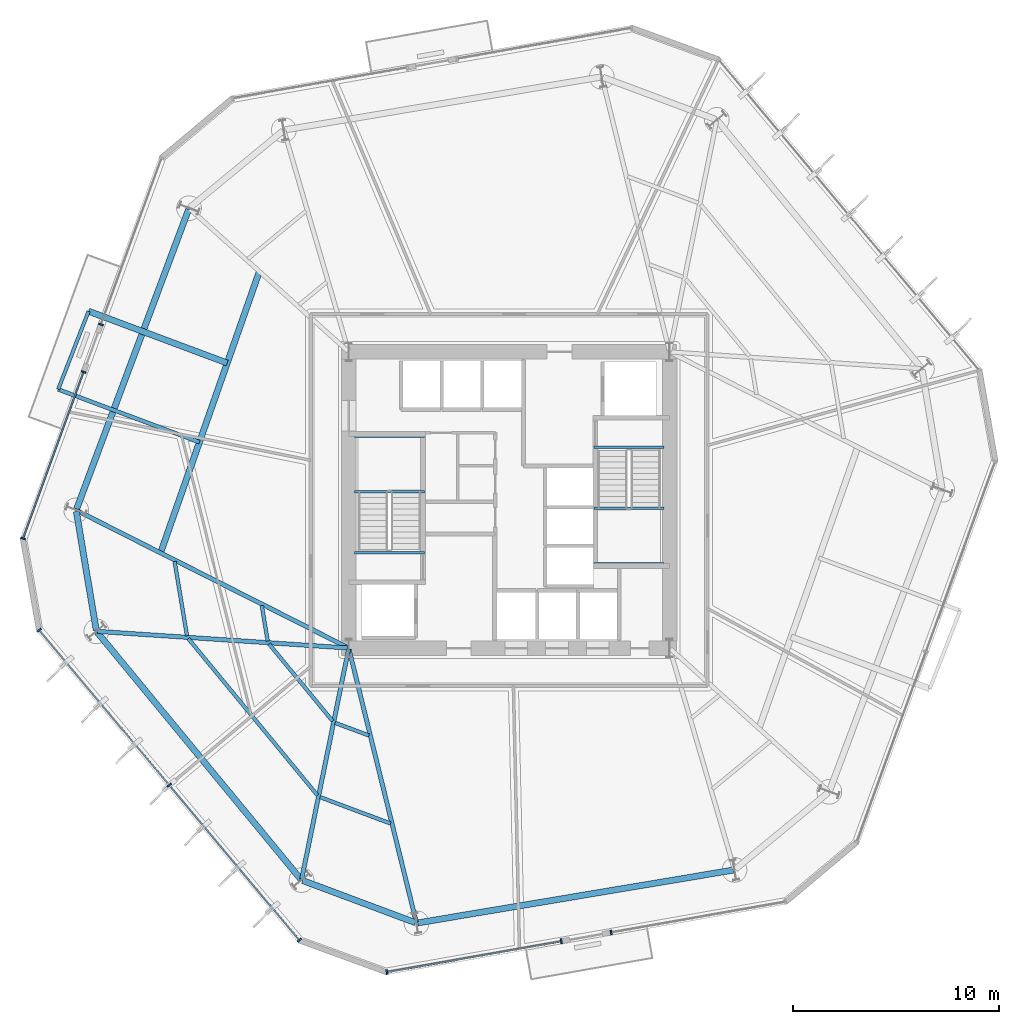
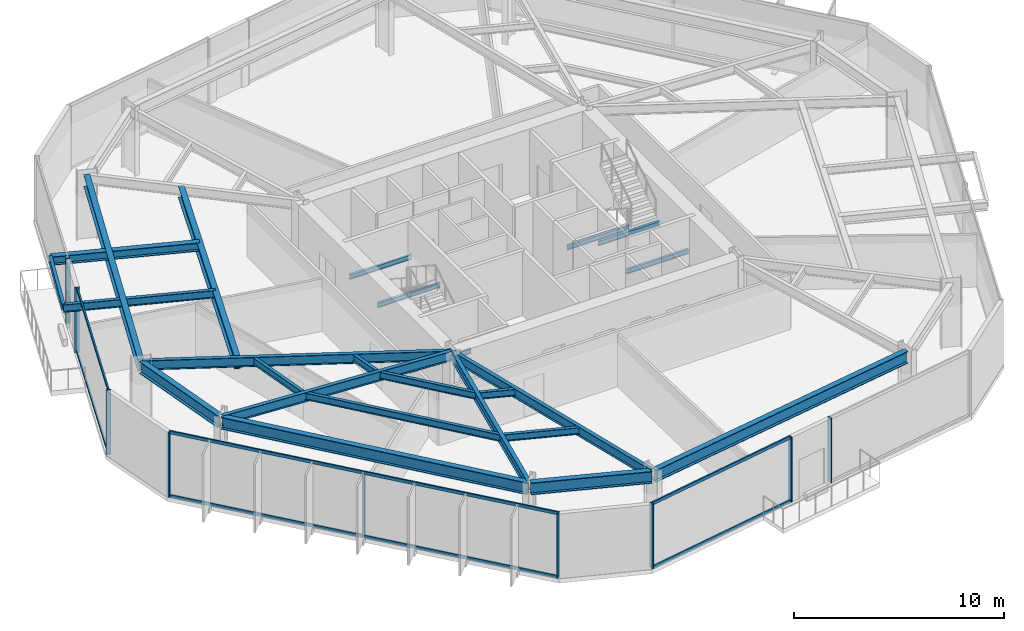
# One storey, part 2 of 10: 25 beams, 17 members, 5 elements without a shape of their own.
"""IFC4 building model written with IfcOpenShell, lengths in metres."""

import ifcopenshell
import ifcopenshell.guid

model = None  # the IFC model being written
_history = None  # IfcOwnerHistory: only IFC2X3 demands one
_inside = {}  # id of a spatial element -> (the spatial element, [elements in it])
_under = {}  # id of a project, library or spatial element -> (it, [spatial elements below it])
_declared = {}  # id of a project -> (the project, [libraries it declares])
_typed = {}  # id of a type object -> (the type object, [elements of that type])
_made_of = {}  # id of a material, layer set ... -> (it, [elements and type objects made of it])


def new_model(schema):
    """Start an empty IFC model of exactly this schema.

    Asked for "IFC4X3", IfcOpenShell would pick the latest addendum, in which some entities
    have other attributes; the version numbers below select the first issue.
    IFC2X3 requires an IfcOwnerHistory on every rooted entity: one is made here for all.
    """
    global model, _history
    if schema == "IFC4X3":
        model = ifcopenshell.file(schema_version=(4, 3, 0, 0))
    else:
        model = ifcopenshell.file(schema=schema)
    _inside.clear()
    _under.clear()
    _declared.clear()
    _typed.clear()
    _made_of.clear()
    _history = None
    if model.schema == "IFC2X3":
        org = make("IfcOrganization", Name="unknown")
        user = make(
            "IfcPersonAndOrganization",
            ThePerson=make("IfcPerson", FamilyName="unknown"),
            TheOrganization=org,
        )
        app = make(
            "IfcApplication",
            ApplicationDeveloper=org,
            Version="unknown",
            ApplicationFullName="unknown",
            ApplicationIdentifier="unknown",
        )
        _history = make(
            "IfcOwnerHistory",
            OwningUser=user,
            OwningApplication=app,
            ChangeAction="ADDED",
            CreationDate=0,
        )
    return model


def make(cls, **values):
    """One entity of the class cls with the attributes given. An attribute that is None is left unset."""
    return model.create_entity(
        cls, **{name: value for name, value in values.items() if value is not None}
    )


def rooted(cls, **values):
    """An entity with a GlobalId (a new one), such as an element, a storey or a relation."""
    return make(cls, GlobalId=ifcopenshell.guid.new(), OwnerHistory=_history, **values)


def si_unit(unit_type, name, prefix=None):
    """IfcSIUnit, for example si_unit("LENGTHUNIT", "METRE", prefix="MILLI")."""
    return make("IfcSIUnit", UnitType=unit_type, Prefix=prefix, Name=name)


def assignment(units):
    """IfcUnitAssignment: the units of a project."""
    return None if units is None else make("IfcUnitAssignment", Units=units)


def point(xyz):
    """IfcCartesianPoint."""
    return None if xyz is None else make("IfcCartesianPoint", Coordinates=xyz)


def direction(xyz):
    """IfcDirection."""
    return None if xyz is None else make("IfcDirection", DirectionRatios=xyz)


def frame(location, z_axis=None, x_axis=None):
    """IfcAxis2Placement3D, a coordinate frame: its origin and axes. An axis left out is left unset."""
    return make(
        "IfcAxis2Placement3D",
        Location=point(location),
        Axis=direction(z_axis),
        RefDirection=direction(x_axis),
    )


def frame_2d(location, x_axis=None):
    """IfcAxis2Placement2D, a coordinate frame in the plane: its origin and x axis."""
    return make(
        "IfcAxis2Placement2D", Location=point(location), RefDirection=direction(x_axis)
    )


def origin():
    """The frame at (0, 0, 0) with its axes left unset."""
    return frame((0.0, 0.0, 0.0))


def origin_2d():
    """The frame at (0, 0) in the plane with its x axis left unset."""
    return frame_2d((0.0, 0.0))


def place(relative_to, where):
    """IfcLocalPlacement: puts the frame where relative to a parent placement (None: the world)."""
    return make(
        "IfcLocalPlacement", PlacementRelTo=relative_to, RelativePlacement=where
    )


def context(
    kind, dimensions, precision=None, world=None, true_north=None, identifier=None
):
    """IfcGeometricRepresentationContext, for example the 3D "Model" context."""
    return make(
        "IfcGeometricRepresentationContext",
        ContextIdentifier=identifier,
        ContextType=kind,
        CoordinateSpaceDimension=dimensions,
        Precision=precision,
        WorldCoordinateSystem=world,
        TrueNorth=true_north,
    )


def subcontext(parent, identifier, kind, view, scale=None):
    """IfcGeometricRepresentationSubContext, for example "Body" below "Model"."""
    return make(
        "IfcGeometricRepresentationSubContext",
        ContextIdentifier=identifier,
        ContextType=kind,
        ParentContext=parent,
        TargetScale=scale,
        TargetView=view,
    )


def project(units=None, contexts=None):
    """IfcProject with its units and contexts."""
    return rooted(
        "IfcProject",
        Name="project",
        RepresentationContexts=contexts,
        UnitsInContext=assignment(units),
    )


def spatial(cls, under=None, at=None, **own):
    """A site, building, storey or space (cls), placed at a placement, below another one or the project."""
    s = rooted(cls, ObjectPlacement=at, **own)
    if under is not None:
        _under.setdefault(under.id(), (under, []))[1].append(s)
    return s


def profile(cls, at=None, kind="AREA", **sizes):
    """A parametric profile (cls). Its sizes go by their IFC names, for example OverallWidth=200.0."""
    return make(cls, ProfileType=kind, Position=at, **sizes)


def rectangle(**sizes):
    """IfcRectangleProfileDef."""
    return profile("IfcRectangleProfileDef", **sizes)


def i_section(**sizes):
    """IfcIShapeProfileDef."""
    return profile("IfcIShapeProfileDef", **sizes)


def extrude(swept, where, along, depth):
    """IfcExtrudedAreaSolid: the profile swept, set in the frame where, extruded along a direction by depth."""
    return make(
        "IfcExtrudedAreaSolid",
        SweptArea=swept,
        Position=where,
        ExtrudedDirection=direction(along),
        Depth=depth,
    )


def shape(context_of_items, identifier, shape_type, items):
    """IfcShapeRepresentation: the items that make up one representation, for example the "Body"."""
    return make(
        "IfcShapeRepresentation",
        ContextOfItems=context_of_items,
        RepresentationIdentifier=identifier,
        RepresentationType=shape_type,
        Items=items,
    )


def material(Name=None, Category=None):
    """IfcMaterial."""
    return make("IfcMaterial", Name=Name, Category=Category)


def layer(
    of_material, thickness, ventilated=None, Name=None, Category=None, Priority=None
):
    """IfcMaterialLayer: one layer of a wall or slab, of a material (None: an air gap)."""
    return make(
        "IfcMaterialLayer",
        Material=of_material,
        LayerThickness=thickness,
        IsVentilated=ventilated,
        Name=Name,
        Category=Category,
        Priority=Priority,
    )


def layer_set(layers, Name=None):
    """IfcMaterialLayerSet."""
    return make("IfcMaterialLayerSet", MaterialLayers=layers, LayerSetName=Name)


def material_profile(
    of_material, cross_section, Name=None, Category=None, Priority=None
):
    """IfcMaterialProfile: a cross section and its material."""
    return make(
        "IfcMaterialProfile",
        Name=Name,
        Material=of_material,
        Profile=cross_section,
        Priority=Priority,
        Category=Category,
    )


def profile_set(profiles, Name=None, composite=None):
    """IfcMaterialProfileSet."""
    return make(
        "IfcMaterialProfileSet",
        Name=Name,
        MaterialProfiles=profiles,
        CompositeProfile=composite,
    )


def made_of(thing, what):
    """Note that an element or type object is made of a material, layer set ...; save() writes the relation."""
    if what is not None:
        _made_of.setdefault(what.id(), (what, []))[1].append(thing)
    return thing


def type_object(cls, material=None, **own):
    """A type object (cls), such as IfcWallType, which elements share."""
    return made_of(rooted(cls, **own), material)


def element(
    cls,
    number,
    at=None,
    inside=None,
    cuts=None,
    type_object=None,
    material=None,
    context=None,
    identifier="Body",
    shape_type=None,
    held_by="IfcProductDefinitionShape",
    body=None,
    shapes=None,
    **own,
):
    """One element of the class cls, such as IfcWall. Its Tag is "e" and its number.

    at: its placement. inside: the storey or other place that contains it. cuts: it is an
    opening in that element (IfcRelVoidsElement). A single representation is given by context,
    identifier, shape_type and body (its items); several are given by shapes. held_by: the class
    of the entity that holds the representations. save() writes the other relations.
    """
    e = rooted(cls, Tag="e%d" % number, ObjectPlacement=at, **own)
    if body is not None:
        shapes = [shape(context, identifier, shape_type, body)]
    if shapes is not None:
        e.Representation = make(held_by, Representations=shapes)
    if inside is not None:
        _inside.setdefault(inside.id(), (inside, []))[1].append(e)
    if cuts is not None:
        rooted(
            "IfcRelVoidsElement", RelatingBuildingElement=cuts, RelatedOpeningElement=e
        )
    if type_object is not None:
        _typed.setdefault(type_object.id(), (type_object, []))[1].append(e)
    return made_of(e, material)


def aggregate(whole, parts):
    """IfcRelAggregates: a whole, such as a stair, and the parts it consists of."""
    return rooted("IfcRelAggregates", RelatingObject=whole, RelatedObjects=parts)


def save(model, path):
    """Write the relations noted so far, then the file.

    IfcRelAggregates (storeys below a building ...), IfcRelContainedInSpatialStructure (elements
    in a storey), IfcRelDefinesByType, IfcRelAssociatesMaterial and IfcRelDeclares: one each for
    every whole, place, type object, material and project.
    """
    for whole, parts in _under.values():
        aggregate(whole, parts)
    for where, things in _inside.values():
        rooted(
            "IfcRelContainedInSpatialStructure",
            RelatedElements=things,
            RelatingStructure=where,
        )
    for kind, things in _typed.values():
        rooted("IfcRelDefinesByType", RelatedObjects=things, RelatingType=kind)
    for what, things in _made_of.values():
        rooted("IfcRelAssociatesMaterial", RelatedObjects=things, RelatingMaterial=what)
    for by, libraries in _declared.values():
        rooted("IfcRelDeclares", RelatingContext=by, RelatedDefinitions=libraries)
    model.write(path)


model = new_model("IFC4")

# Units and contexts
model_context = context("Model", 3, precision=1e-05, world=origin(), true_north=direction((0.0, 1.0)))
body_context = subcontext(model_context, "Body", "Model", "MODEL_VIEW")
ifc_project = project(units=[si_unit("LENGTHUNIT", "METRE"), si_unit("AREAUNIT", "SQUARE_METRE"), si_unit("VOLUMEUNIT", "CUBIC_METRE"), si_unit("PLANEANGLEUNIT", "RADIAN"), si_unit("MASSUNIT", "GRAM", prefix="KILO")], contexts=[model_context])

# Site, building, storey
site_placement = place(None, origin())
site = spatial("IfcSite", under=ifc_project, at=site_placement, CompositionType="ELEMENT")
building_placement = place(site_placement, origin())
building = spatial("IfcBuilding", under=site, at=building_placement, Name="Kranzbogen Civic Tower", CompositionType="ELEMENT")
storey_placement = place(building_placement, frame((0.0, 0.0, 60.0)))
storey = spatial("IfcBuildingStorey", under=building, at=storey_placement, Name="L14", CompositionType="ELEMENT", Elevation=60.0)

# Beam
ifc_material_1 = material(Name="Steel S355", Category="steel")
ifc_material_profile_1 = material_profile(ifc_material_1, i_section(OverallWidth=0.18994140625, OverallDepth=0.449951171875, WebThickness=0.009521484375, FlangeThickness=0.0146484375, at=origin_2d()), Name="IPE 450")
ifc_profile_set_1 = profile_set([ifc_material_profile_1], Name="Steel S355")
beam_type_1 = type_object("IfcBeamType", Name="Braced Terrace Edge Beam IPE 450", PredefinedType="BEAM", material=ifc_profile_set_1)
beam_1_placement = place(storey_placement, frame((9.93798828125, 27.81103515625, 3.52490234375), z_axis=(-0.936685790104, 0.350171001966, 0.0), x_axis=(-0.350171001966, -0.936685790104, 0.0)))
element("IfcBeam", 1, at=beam_1_placement, inside=storey, type_object=beam_type_1, Name="L15 back-spanned terrace beam L15-TB2-2", PredefinedType="BEAM", context=body_context, shape_type="SweptSolid", body=[
    extrude(i_section(OverallWidth=0.18994140625, OverallDepth=0.449951171875, WebThickness=0.009521484375, FlangeThickness=0.0146484375, at=origin_2d()), origin(), (0.0, 0.0, 1.0), 7.333251953125),
])

# Curtain wall, member
ifc_material_2 = material(Name="Pale Anodised Aluminium", Category="aluminium")
ifc_layer = layer(ifc_material_2, 0.219970703125, Name="Pale Anodised Aluminium")
ifc_layer_set = layer_set([ifc_layer], Name="Pale Anodised Aluminium")
curtain_wall_type = type_object("IfcCurtainWallType", Name="Zone 1 Stick Curtain Wall System CW-02", PredefinedType="USERDEFINED", material=ifc_layer_set)
curtain_wall_1_placement = place(storey_placement, origin())
curtain_wall_1 = element("IfcCurtainWall", 2, at=curtain_wall_1_placement, inside=storey, type_object=curtain_wall_type, Name="L14 curtain wall CW-L14-F3-S1", ObjectType="STICK CURTAIN WALL", PredefinedType="USERDEFINED")
ifc_material_profile_2 = material_profile(ifc_material_2, rectangle(XDim=0.080078125, YDim=0.239990234375, at=origin_2d()), Name="ALU-M 80x240")
ifc_profile_set_2 = profile_set([ifc_material_profile_2], Name="Pale Anodised Aluminium")
member_type_1 = type_object("IfcMemberType", Name="Curtain Wall Mullion ALU-M 80x240", PredefinedType="MULLION", material=ifc_profile_set_2)
member_1_placement = place(storey_placement, frame((5.149169921875, 33.5341796875, 0.0), z_axis=(0.0, 0.0, 1.0), x_axis=(-0.342020811393, -0.939692377629, 0.0)))
member_1 = element("IfcMember", 3, at=member_1_placement, type_object=member_type_1, Name="CW-02 mullion 2", PredefinedType="MULLION", context=body_context, shape_type="SweptSolid", body=[
    extrude(rectangle(XDim=0.080078125, YDim=0.239990234375, at=origin_2d()), origin(), (0.0, 0.0, 1.0), 3.760009765625),
])
aggregate(curtain_wall_1, [member_1])

# Curtain wall, members
curtain_wall_2_placement = place(storey_placement, origin())
curtain_wall_2 = element("IfcCurtainWall", 4, at=curtain_wall_2_placement, inside=storey, type_object=curtain_wall_type, Name="L14 curtain wall CW-L14-F3-S2", ObjectType="STICK CURTAIN WALL", PredefinedType="USERDEFINED")
member_2_placement = place(storey_placement, frame((4.307861328125, 31.222900390625, 0.0), z_axis=(0.0, 0.0, 1.0), x_axis=(-0.341983753933, -0.939705864644, 0.0)))
member_2 = element("IfcMember", 5, at=member_2_placement, type_object=member_type_1, Name="CW-02 mullion 1", PredefinedType="MULLION", context=body_context, shape_type="SweptSolid", body=[
    extrude(rectangle(XDim=0.080078125, YDim=0.239990234375, at=origin_2d()), origin(), (0.0, 0.0, 1.0), 3.760009765625),
])
member_3_placement = place(storey_placement, frame((1.3623046875, 23.129150390625, 0.0), z_axis=(0.0, 0.0, 1.0), x_axis=(-0.341983753933, -0.939705864644, 0.0)))
member_3 = element("IfcMember", 6, at=member_3_placement, type_object=member_type_1, Name="CW-02 mullion 2", PredefinedType="MULLION", context=body_context, shape_type="SweptSolid", body=[
    extrude(rectangle(XDim=0.080078125, YDim=0.239990234375, at=origin_2d()), origin(), (0.0, 0.0, 1.0), 3.760009765625),
])

curtain_wall_3_placement = place(storey_placement, origin())
curtain_wall_3 = element("IfcCurtainWall", 7, at=curtain_wall_3_placement, inside=storey, type_object=curtain_wall_type, Name="L14 curtain wall CW-L14-F4", ObjectType="STICK CURTAIN WALL", PredefinedType="USERDEFINED")
member_4_placement = place(storey_placement, frame((2.148193359375, 18.673095703125, 0.0), z_axis=(0.0, 0.0, 1.0), x_axis=(0.64275131969, -0.766074892577, 0.0)))
member_4 = element("IfcMember", 8, at=member_4_placement, type_object=member_type_1, Name="CW-02 mullion 1", PredefinedType="MULLION", context=body_context, shape_type="SweptSolid", body=[
    extrude(rectangle(XDim=0.080078125, YDim=0.239990234375, at=origin_2d()), origin(), (0.0, 0.0, 1.0), 3.760009765625),
])
member_5_placement = place(storey_placement, frame((8.474609375, 11.133056640625, 0.0), z_axis=(0.0, 0.0, 1.0), x_axis=(0.64275131969, -0.766074892577, 0.0)))
member_5 = element("IfcMember", 9, at=member_5_placement, type_object=member_type_1, Name="CW-02 mullion 2", PredefinedType="MULLION", context=body_context, shape_type="SweptSolid", body=[
    extrude(rectangle(XDim=0.080078125, YDim=0.239990234375, at=origin_2d()), origin(), (0.0, 0.0, 1.0), 3.760009765625),
])
member_6_placement = place(storey_placement, frame((14.80078125, 3.593017578125, 0.0), z_axis=(0.0, 0.0, 1.0), x_axis=(0.64275131969, -0.766074892577, 0.0)))
member_6 = element("IfcMember", 10, at=member_6_placement, type_object=member_type_1, Name="CW-02 mullion 3", PredefinedType="MULLION", context=body_context, shape_type="SweptSolid", body=[
    extrude(rectangle(XDim=0.080078125, YDim=0.239990234375, at=origin_2d()), origin(), (0.0, 0.0, 1.0), 3.760009765625),
])

curtain_wall_4_placement = place(storey_placement, origin())
curtain_wall_4 = element("IfcCurtainWall", 11, at=curtain_wall_4_placement, inside=storey, type_object=curtain_wall_type, Name="L14 curtain wall CW-L14-F5-S1", ObjectType="STICK CURTAIN WALL", PredefinedType="USERDEFINED")
member_7_placement = place(storey_placement, frame((19.053466796875, 2.045166015625, 0.0), z_axis=(0.0, 0.0, 1.0), x_axis=(0.984804448011, 0.173666920217, 0.0)))
member_7 = element("IfcMember", 12, at=member_7_placement, type_object=member_type_1, Name="CW-02 mullion 1", PredefinedType="MULLION", context=body_context, shape_type="SweptSolid", body=[
    extrude(rectangle(XDim=0.080078125, YDim=0.239990234375, at=origin_2d()), origin(), (0.0, 0.0, 1.0), 3.760009765625),
])
member_8_placement = place(storey_placement, frame((27.534423828125, 3.540771484375, 0.0), z_axis=(0.0, 0.0, 1.0), x_axis=(0.984804448011, 0.173666920217, 0.0)))
member_8 = element("IfcMember", 13, at=member_8_placement, type_object=member_type_1, Name="CW-02 mullion 2", PredefinedType="MULLION", context=body_context, shape_type="SweptSolid", body=[
    extrude(rectangle(XDim=0.080078125, YDim=0.239990234375, at=origin_2d()), origin(), (0.0, 0.0, 1.0), 3.760009765625),
])

# Curtain wall, member
curtain_wall_5_placement = place(storey_placement, origin())
curtain_wall_5 = element("IfcCurtainWall", 14, at=curtain_wall_5_placement, inside=storey, type_object=curtain_wall_type, Name="L14 curtain wall CW-L14-F5-S2", ObjectType="STICK CURTAIN WALL", PredefinedType="USERDEFINED")
member_9_placement = place(storey_placement, frame((29.95751953125, 3.96826171875, 0.0), z_axis=(0.0, 0.0, 1.0), x_axis=(0.984807925391, 0.173647200057, 0.0)))
member_9 = element("IfcMember", 15, at=member_9_placement, type_object=member_type_1, Name="CW-02 mullion 1", PredefinedType="MULLION", context=body_context, shape_type="SweptSolid", body=[
    extrude(rectangle(XDim=0.080078125, YDim=0.239990234375, at=origin_2d()), origin(), (0.0, 0.0, 1.0), 3.760009765625),
])
aggregate(curtain_wall_5, [member_9])

# Member
ifc_material_profile_3 = material_profile(ifc_material_2, rectangle(XDim=0.080078125, YDim=0.179931640625, at=origin_2d()), Name="ALU-T 80x180")
ifc_profile_set_3 = profile_set([ifc_material_profile_3], Name="Pale Anodised Aluminium")
member_type_2 = type_object("IfcMemberType", Name="Curtain Wall Transom ALU-T 80x180", PredefinedType="USERDEFINED", material=ifc_profile_set_3)
member_10_placement = place(storey_placement, frame((4.29736328125, 31.194580078125, 0.030029296875), z_axis=(-0.341972248465, -0.939710051707, 0.0), x_axis=(0.939710051707, -0.341972248465, 0.0)))
member_10 = element("IfcMember", 16, at=member_10_placement, type_object=member_type_2, Name="CW-02 transom 1.1", ObjectType="TRANSOM", PredefinedType="USERDEFINED", context=body_context, shape_type="SweptSolid", body=[
    extrude(rectangle(XDim=0.080078125, YDim=0.179931640625, at=origin_2d()), origin(), (0.0, 0.0, 1.0), 8.552734375),
])

member_11_placement = place(storey_placement, frame((4.29736328125, 31.194580078125, 3.72998046875), z_axis=(-0.341972248465, -0.939710051707, 0.0), x_axis=(0.939710051707, -0.341972248465, 0.0)))
member_11 = element("IfcMember", 17, at=member_11_placement, type_object=member_type_2, Name="CW-02 transom 1.2", ObjectType="TRANSOM", PredefinedType="USERDEFINED", context=body_context, shape_type="SweptSolid", body=[
    extrude(rectangle(XDim=0.080078125, YDim=0.179931640625, at=origin_2d()), origin(), (0.0, 0.0, 1.0), 8.552734375),
])

aggregate(curtain_wall_2, [member_2, member_3, member_10, member_11])

member_12_placement = place(storey_placement, frame((2.16748046875, 18.650146484375, 0.030029296875), z_axis=(0.642758285529, -0.766069048053, 0.0), x_axis=(0.766069048053, 0.642758285529, 0.0)))
member_12 = element("IfcMember", 18, at=member_12_placement, type_object=member_type_2, Name="CW-02 transom 1.1", ObjectType="TRANSOM", PredefinedType="USERDEFINED", context=body_context, shape_type="SweptSolid", body=[
    extrude(rectangle(XDim=0.080078125, YDim=0.179931640625, at=origin_2d()), origin(), (0.0, 0.0, 1.0), 9.782470703125),
])

member_13_placement = place(storey_placement, frame((2.16748046875, 18.650146484375, 3.72998046875), z_axis=(0.642758285529, -0.766069048053, 0.0), x_axis=(0.766069048053, 0.642758285529, 0.0)))
member_13 = element("IfcMember", 19, at=member_13_placement, type_object=member_type_2, Name="CW-02 transom 1.2", ObjectType="TRANSOM", PredefinedType="USERDEFINED", context=body_context, shape_type="SweptSolid", body=[
    extrude(rectangle(XDim=0.080078125, YDim=0.179931640625, at=origin_2d()), origin(), (0.0, 0.0, 1.0), 9.782470703125),
])

member_14_placement = place(storey_placement, frame((8.493896484375, 11.110107421875, 0.030029296875), z_axis=(0.642743639078, -0.76608133669, 0.0), x_axis=(0.76608133669, 0.642743639078, 0.0)))
member_14 = element("IfcMember", 20, at=member_14_placement, type_object=member_type_2, Name="CW-02 transom 2.1", ObjectType="TRANSOM", PredefinedType="USERDEFINED", context=body_context, shape_type="SweptSolid", body=[
    extrude(rectangle(XDim=0.080078125, YDim=0.179931640625, at=origin_2d()), origin(), (0.0, 0.0, 1.0), 9.782470703125),
])

member_15_placement = place(storey_placement, frame((8.493896484375, 11.110107421875, 3.72998046875), z_axis=(0.642743639078, -0.76608133669, 0.0), x_axis=(0.76608133669, 0.642743639078, 0.0)))
member_15 = element("IfcMember", 21, at=member_15_placement, type_object=member_type_2, Name="CW-02 transom 2.2", ObjectType="TRANSOM", PredefinedType="USERDEFINED", context=body_context, shape_type="SweptSolid", body=[
    extrude(rectangle(XDim=0.080078125, YDim=0.179931640625, at=origin_2d()), origin(), (0.0, 0.0, 1.0), 9.782470703125),
])

aggregate(curtain_wall_3, [member_4, member_5, member_6, member_12, member_13, member_14, member_15])

member_16_placement = place(storey_placement, frame((19.0830078125, 2.050537109375, 0.030029296875), z_axis=(0.984805680635, 0.173659930291, 0.0), x_axis=(-0.173659930291, 0.984805680635, 0.0)))
member_16 = element("IfcMember", 22, at=member_16_placement, type_object=member_type_2, Name="CW-02 transom 1.1", ObjectType="TRANSOM", PredefinedType="USERDEFINED", context=body_context, shape_type="SweptSolid", body=[
    extrude(rectangle(XDim=0.080078125, YDim=0.179931640625, at=origin_2d()), origin(), (0.0, 0.0, 1.0), 8.5517578125),
])

member_17_placement = place(storey_placement, frame((19.0830078125, 2.050537109375, 3.72998046875), z_axis=(0.984805680635, 0.173659930291, 0.0), x_axis=(-0.173659930291, 0.984805680635, 0.0)))
member_17 = element("IfcMember", 23, at=member_17_placement, type_object=member_type_2, Name="CW-02 transom 1.2", ObjectType="TRANSOM", PredefinedType="USERDEFINED", context=body_context, shape_type="SweptSolid", body=[
    extrude(rectangle(XDim=0.080078125, YDim=0.179931640625, at=origin_2d()), origin(), (0.0, 0.0, 1.0), 8.5517578125),
])

aggregate(curtain_wall_4, [member_7, member_8, member_16, member_17])

# Beams
ifc_material_profile_4 = material_profile(ifc_material_1, i_section(OverallWidth=0.300048828125, OverallDepth=0.5, WebThickness=0.014404296875, FlangeThickness=0.028076171875, at=origin_2d()), Name="HEB 500")
ifc_profile_set_4 = profile_set([ifc_material_profile_4], Name="Steel S355")
beam_type_2 = type_object("IfcBeamType", Name="Perimeter Tube Spandrel Beam HEB 500", PredefinedType="SPANDREL", material=ifc_profile_set_4)
beam_2_placement = place(storey_placement, frame((11.2890625, 31.659912109375, 3.5), z_axis=(-0.936703623387, 0.350123295332, 0.0), x_axis=(-0.350123295332, -0.936703623387, 0.0)))
element("IfcBeam", 24, at=beam_2_placement, inside=storey, type_object=beam_type_2, Name="L15 back-spanned terrace beam L15-TB2-1", PredefinedType="SPANDREL", context=body_context, shape_type="SweptSolid", body=[
    extrude(i_section(OverallWidth=0.300048828125, OverallDepth=0.5, WebThickness=0.014404296875, FlangeThickness=0.028076171875, at=origin_2d()), origin(), (0.0, 0.0, 1.0), 7.197509765625),
])
ifc_material_profile_5 = material_profile(ifc_material_1, i_section(OverallWidth=0.300048828125, OverallDepth=0.699951171875, WebThickness=0.01708984375, FlangeThickness=0.031982421875, at=origin_2d()), Name="HEB 700")
ifc_profile_set_5 = profile_set([ifc_material_profile_5], Name="Steel S355")
beam_type_3 = type_object("IfcBeamType", Name="Perimeter Tube Spandrel Beam HEB 700", PredefinedType="SPANDREL", material=ifc_profile_set_5)
beam_3_placement = place(storey_placement, frame((3.952880859375, 24.445068359375, 3.409912109375), z_axis=(0.164913116942, -0.986308097838, 0.0), x_axis=(0.986308097838, 0.164913116942, 0.0)))
element("IfcBeam", 25, at=beam_3_placement, inside=storey, type_object=beam_type_3, Name="L14 perimeter spandrel beam 01", PredefinedType="SPANDREL", context=body_context, shape_type="SweptSolid", body=[
    extrude(i_section(OverallWidth=0.300048828125, OverallDepth=0.699951171875, WebThickness=0.01708984375, FlangeThickness=0.031982421875, at=origin_2d()), origin(), (0.0, 0.0, 1.0), 5.85205078125),
])
beam_4_placement = place(storey_placement, frame((4.966064453125, 18.568115234375, 3.409912109375), z_axis=(0.636074572579, -0.771627590304, 0.0), x_axis=(0.771627590304, 0.636074572579, 0.0)))
element("IfcBeam", 26, at=beam_4_placement, inside=storey, type_object=beam_type_3, Name="L14 perimeter spandrel beam 02", PredefinedType="SPANDREL", context=body_context, shape_type="SweptSolid", body=[
    extrude(i_section(OverallWidth=0.300048828125, OverallDepth=0.699951171875, WebThickness=0.01708984375, FlangeThickness=0.031982421875, at=origin_2d()), origin(), (0.0, 0.0, 1.0), 15.5595703125),
])
beam_5_placement = place(storey_placement, frame((14.95703125, 6.4951171875, 3.409912109375), z_axis=(0.936647646965, -0.350273015568, 0.0), x_axis=(0.350273015568, 0.936647646965, 0.0)))
element("IfcBeam", 27, at=beam_5_placement, inside=storey, type_object=beam_type_3, Name="L14 perimeter spandrel beam 03", PredefinedType="SPANDREL", context=body_context, shape_type="SweptSolid", body=[
    extrude(i_section(OverallWidth=0.300048828125, OverallDepth=0.699951171875, WebThickness=0.01708984375, FlangeThickness=0.031982421875, at=origin_2d()), origin(), (0.0, 0.0, 1.0), 5.852783203125),
])
beam_6_placement = place(storey_placement, frame((20.553955078125, 4.43408203125, 3.409912109375), z_axis=(0.986285563243, 0.165047834697, 0.0), x_axis=(-0.165047834697, 0.986285563243, 0.0)))
element("IfcBeam", 28, at=beam_6_placement, inside=storey, type_object=beam_type_3, Name="L14 perimeter spandrel beam 04", PredefinedType="SPANDREL", context=body_context, shape_type="SweptSolid", body=[
    extrude(i_section(OverallWidth=0.300048828125, OverallDepth=0.699951171875, WebThickness=0.01708984375, FlangeThickness=0.031982421875, at=origin_2d()), origin(), (0.0, 0.0, 1.0), 15.558349609375),
])
beam_7_placement = place(storey_placement, frame((9.412109375, 39.133056640625, 3.409912109375), z_axis=(-0.350172267932, -0.936685316833, 0.0), x_axis=(0.936685316833, -0.350172267932, 0.0)))
element("IfcBeam", 29, at=beam_7_placement, inside=storey, type_object=beam_type_3, Name="L14 perimeter spandrel beam 12", PredefinedType="SPANDREL", context=body_context, shape_type="SweptSolid", body=[
    extrude(i_section(OverallWidth=0.300048828125, OverallDepth=0.699951171875, WebThickness=0.01708984375, FlangeThickness=0.031982421875, at=origin_2d()), origin(), (0.0, 0.0, 1.0), 15.55810546875),
])
beam_8_placement = place(storey_placement, frame((12.85205078125, 36.112060546875, 3.39990234375), z_axis=(-0.331242591506, -0.943545624531, 0.0), x_axis=(0.943545624531, -0.331242591506, 0.0)))
element("IfcBeam", 30, at=beam_8_placement, inside=storey, type_object=beam_type_3, Name="L15 balcony back-span header girder L15-TB2", PredefinedType="SPANDREL", context=body_context, shape_type="SweptSolid", body=[
    extrude(i_section(OverallWidth=0.300048828125, OverallDepth=0.699951171875, WebThickness=0.01708984375, FlangeThickness=0.031982421875, at=origin_2d()), origin(), (0.0, 0.0, 1.0), 14.5029296875),
])
ifc_material_profile_6 = material_profile(ifc_material_1, i_section(OverallWidth=0.2099609375, OverallDepth=0.550048828125, WebThickness=0.010986328125, FlangeThickness=0.01708984375, at=origin_2d()), Name="IPE 550")
ifc_profile_set_6 = profile_set([ifc_material_profile_6], Name="Steel S355")
beam_type_4 = type_object("IfcBeamType", Name="Radial Tower Floor Girder IPE 550", PredefinedType="BEAM", material=ifc_profile_set_6)
beam_9_placement = place(storey_placement, frame((3.9970703125, 24.47705078125, 3.485107421875), z_axis=(0.892363219254, -0.451317942168, 0.0), x_axis=(0.451317942168, 0.892363219254, 0.0)))
element("IfcBeam", 31, at=beam_9_placement, inside=storey, type_object=beam_type_4, Name="L14 radial floor girder 01", PredefinedType="BEAM", context=body_context, shape_type="SweptSolid", body=[
    extrude(i_section(OverallWidth=0.2099609375, OverallDepth=0.550048828125, WebThickness=0.010986328125, FlangeThickness=0.01708984375, at=origin_2d()), origin(), (0.0, 0.0, 1.0), 14.73486328125),
])
beam_10_placement = place(storey_placement, frame((4.988037109375, 18.610107421875, 3.485107421875), z_axis=(0.99780674843, -0.066194356156, 0.0), x_axis=(0.066194356156, 0.99780674843, 0.0)))
element("IfcBeam", 32, at=beam_10_placement, inside=storey, type_object=beam_type_4, Name="L14 radial floor girder 02", PredefinedType="BEAM", context=body_context, shape_type="SweptSolid", body=[
    extrude(i_section(OverallWidth=0.2099609375, OverallDepth=0.550048828125, WebThickness=0.010986328125, FlangeThickness=0.01708984375, at=origin_2d()), origin(), (0.0, 0.0, 1.0), 12.178466796875),
])
beam_11_placement = place(storey_placement, frame((14.9130859375, 6.574951171875, 3.485107421875), z_axis=(0.199633433694, 0.979870650725, 0.0), x_axis=(-0.979870650725, 0.199633433694, 0.0)))
element("IfcBeam", 33, at=beam_11_placement, inside=storey, type_object=beam_type_4, Name="L14 radial floor girder 03", PredefinedType="BEAM", context=body_context, shape_type="SweptSolid", body=[
    extrude(i_section(OverallWidth=0.2099609375, OverallDepth=0.550048828125, WebThickness=0.010986328125, FlangeThickness=0.01708984375, at=origin_2d()), origin(), (0.0, 0.0, 1.0), 11.3955078125),
])
beam_12_placement = place(storey_placement, frame((20.48095703125, 4.48193359375, 3.485107421875), z_axis=(-0.239215348776, 0.970966537482, 0.0), x_axis=(-0.970966537482, -0.239215348776, 0.0)))
element("IfcBeam", 34, at=beam_12_placement, inside=storey, type_object=beam_type_4, Name="L14 radial floor girder 04", PredefinedType="BEAM", context=body_context, shape_type="SweptSolid", body=[
    extrude(i_section(OverallWidth=0.2099609375, OverallDepth=0.550048828125, WebThickness=0.010986328125, FlangeThickness=0.01708984375, at=origin_2d()), origin(), (0.0, 0.0, 1.0), 13.656494140625),
])
ifc_material_profile_7 = material_profile(ifc_material_1, i_section(OverallWidth=0.169921875, OverallDepth=0.360107421875, WebThickness=0.008056640625, FlangeThickness=0.0126953125, at=origin_2d()), Name="IPE 360")
ifc_profile_set_7 = profile_set([ifc_material_profile_7], Name="Steel S355")
beam_type_5 = type_object("IfcBeamType", Name="Secondary Composite Floor Joist IPE 360", PredefinedType="JOIST", material=ifc_profile_set_7)
beam_13_placement = place(storey_placement, frame((4.547119140625, 34.179931640625, 3.570068359375), z_axis=(-0.362414483462, -0.932017028909, 0.0), x_axis=(0.932017028909, -0.362414483462, 0.0)))
element("IfcBeam", 35, at=beam_13_placement, inside=storey, type_object=beam_type_5, Name="L15 terrace outer edge trimmer L15-TB2", PredefinedType="JOIST", context=body_context, shape_type="SweptSolid", body=[
    extrude(i_section(OverallWidth=0.169921875, OverallDepth=0.360107421875, WebThickness=0.008056640625, FlangeThickness=0.0126953125, at=origin_2d()), origin(), (0.0, 0.0, 1.0), 4.078369140625),
])
ifc_material_profile_8 = material_profile(ifc_material_1, i_section(OverallWidth=0.179931640625, OverallDepth=0.39990234375, WebThickness=0.008544921875, FlangeThickness=0.013427734375, at=origin_2d()), Name="IPE 400")
ifc_profile_set_8 = profile_set([ifc_material_profile_8], Name="Steel S355")
beam_type_6 = type_object("IfcBeamType", Name="Secondary Composite Floor Joist IPE 400", PredefinedType="JOIST", material=ifc_profile_set_8)
beam_14_placement = place(storey_placement, frame((8.72900390625, 22.011962890625, 3.56005859375), z_axis=(0.164928678379, -0.986305495802, 0.0), x_axis=(0.986305495802, 0.164928678379, 0.0)))
element("IfcBeam", 36, at=beam_14_placement, inside=storey, type_object=beam_type_6, Name="L14 secondary floor joist 1.01", PredefinedType="JOIST", context=body_context, shape_type="SweptSolid", body=[
    extrude(i_section(OverallWidth=0.179931640625, OverallDepth=0.39990234375, WebThickness=0.008544921875, FlangeThickness=0.013427734375, at=origin_2d()), origin(), (0.0, 0.0, 1.0), 3.662109375),
])
beam_15_placement = place(storey_placement, frame((12.970947265625, 19.865966796875, 3.56005859375), z_axis=(0.165077224104, -0.986280644686, 0.0), x_axis=(0.986280644686, 0.165077224104, 0.0)))
element("IfcBeam", 37, at=beam_15_placement, inside=storey, type_object=beam_type_6, Name="L14 secondary floor joist 2.01", PredefinedType="JOIST", context=body_context, shape_type="SweptSolid", body=[
    extrude(i_section(OverallWidth=0.179931640625, OverallDepth=0.39990234375, WebThickness=0.008544921875, FlangeThickness=0.013427734375, at=origin_2d()), origin(), (0.0, 0.0, 1.0), 1.7509765625),
])
beam_16_placement = place(storey_placement, frame((9.39697265625, 18.259033203125, 3.56005859375), z_axis=(0.636094561772, -0.771611112209, 0.0), x_axis=(0.771611112209, 0.636094561772, 0.0)))
element("IfcBeam", 38, at=beam_16_placement, inside=storey, type_object=beam_type_6, Name="L14 secondary floor joist 1.02", PredefinedType="JOIST", context=body_context, shape_type="SweptSolid", body=[
    extrude(i_section(OverallWidth=0.179931640625, OverallDepth=0.39990234375, WebThickness=0.008544921875, FlangeThickness=0.013427734375, at=origin_2d()), origin(), (0.0, 0.0, 1.0), 9.874267578125),
])
beam_17_placement = place(storey_placement, frame((13.323974609375, 17.9990234375, 3.56005859375), z_axis=(0.636012010413, -0.771679157818, 0.0), x_axis=(0.771679157818, 0.636012010413, 0.0)))
element("IfcBeam", 39, at=beam_17_placement, inside=storey, type_object=beam_type_6, Name="L14 secondary floor joist 2.02", PredefinedType="JOIST", context=body_context, shape_type="SweptSolid", body=[
    extrude(i_section(OverallWidth=0.179931640625, OverallDepth=0.39990234375, WebThickness=0.008544921875, FlangeThickness=0.013427734375, at=origin_2d()), origin(), (0.0, 0.0, 1.0), 4.85693359375),
])
beam_18_placement = place(storey_placement, frame((15.803955078125, 10.550048828125, 3.56005859375), z_axis=(0.936622008794, -0.350341565678, 0.0), x_axis=(0.350341565678, 0.936622008794, 0.0)))
element("IfcBeam", 40, at=beam_18_placement, inside=storey, type_object=beam_type_6, Name="L14 secondary floor joist 1.03", PredefinedType="JOIST", context=body_context, shape_type="SweptSolid", body=[
    extrude(i_section(OverallWidth=0.179931640625, OverallDepth=0.39990234375, WebThickness=0.008544921875, FlangeThickness=0.013427734375, at=origin_2d()), origin(), (0.0, 0.0, 1.0), 3.662109375),
])
beam_19_placement = place(storey_placement, frame((16.5390625, 14.160888671875, 3.56005859375), z_axis=(0.936735458815, -0.350038112495, 0.0), x_axis=(0.350038112495, 0.936735458815, 0.0)))
element("IfcBeam", 41, at=beam_19_placement, inside=storey, type_object=beam_type_6, Name="L14 secondary floor joist 2.03", PredefinedType="JOIST", context=body_context, shape_type="SweptSolid", body=[
    extrude(i_section(OverallWidth=0.179931640625, OverallDepth=0.39990234375, WebThickness=0.008544921875, FlangeThickness=0.013427734375, at=origin_2d()), origin(), (0.0, 0.0, 1.0), 1.750732421875),
])
ifc_material_profile_9 = material_profile(ifc_material_1, i_section(OverallWidth=0.135009765625, OverallDepth=0.27001953125, WebThickness=0.006591796875, FlangeThickness=0.01025390625, at=origin_2d()), Name="IPE 270")
ifc_profile_set_9 = profile_set([ifc_material_profile_9], Name="Steel S355")
beam_type_7 = type_object("IfcBeamType", Name="Stair Landing Support Beam IPE 270", PredefinedType="JOIST", material=ifc_profile_set_9)
for number, where, z_axis, x_axis, name in (
    (42, (20.8798828125, 22.43994140625, -0.375), (-1.0, 0.0, 0.0), (0.0, -1.0, 0.0), "L14 ST-T1 stair floor header beam"),
    (43, (20.8798828125, 25.39990234375, 1.6650390625), (-1.0, 0.0, 0.0), (0.0, -1.0, 0.0), "L14 ST-T1 landing support beam 1.1"),
    (44, (20.8798828125, 28.10009765625, 1.6650390625), (-1.0, 0.0, 0.0), (0.0, -1.0, 0.0), "L14 ST-T1 landing support beam 1.2"),
    (45, (29.1201171875, 27.56005859375, -0.375), (1.0, 0.0, 0.0), (0.0, 1.0, 0.0), "L14 ST-T2 stair floor header beam"),
    (46, (29.1201171875, 24.60009765625, 1.6650390625), (1.0, 0.0, 0.0), (0.0, 1.0, 0.0), "L14 ST-T2 landing support beam 1.1"),
    (47, (29.1201171875, 21.89990234375, 1.6650390625), (1.0, 0.0, 0.0), (0.0, 1.0, 0.0), "L14 ST-T2 landing support beam 1.2"),
):
    element("IfcBeam", number, at=place(storey_placement, frame(where, z_axis=z_axis, x_axis=x_axis)), inside=storey, type_object=beam_type_7, Name=name, PredefinedType="JOIST", context=body_context, shape_type="SweptSolid", body=[
        extrude(i_section(OverallWidth=0.135009765625, OverallDepth=0.27001953125, WebThickness=0.006591796875, FlangeThickness=0.01025390625, at=origin_2d()), origin(), (0.0, 0.0, 1.0), 3.409912109375),
    ])

save(model, "model.ifc")
